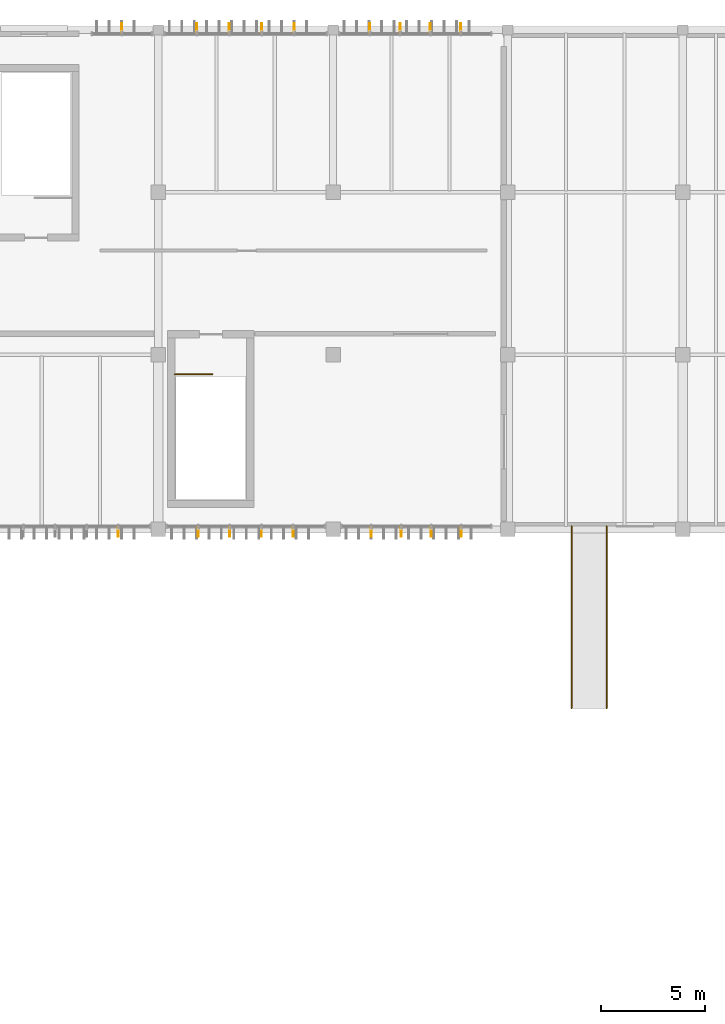
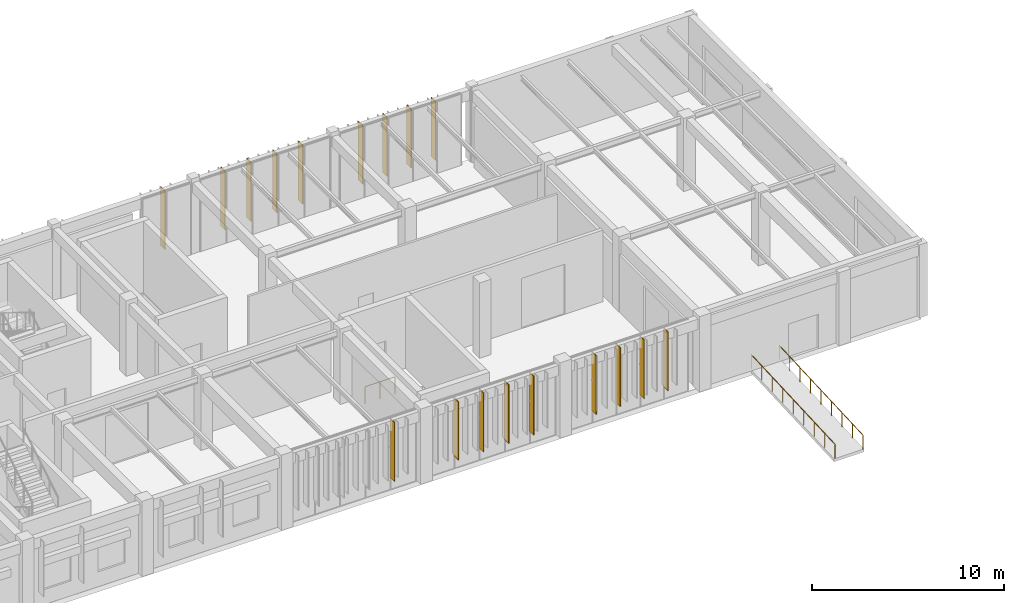
# One storey, part 122 of 122: 18 shading devices, 3 railings.
"""IFC4 building model written with IfcOpenShell, lengths in metres."""

from ifc_helpers import new_model, si_unit, direction, frame, origin, origin_2d, place, context, subcontext, project, spatial, rectangle, circle, extrude, material, layer, layer_set, material_profile, profile_set, type_object, element, save


model = new_model("IFC4")

# Units and contexts
model_context = context("Model", 3, precision=1e-05, world=origin(), true_north=direction((0.0, 1.0)))
body_context = subcontext(model_context, "Body", "Model", "MODEL_VIEW")
ifc_project = project(units=[si_unit("LENGTHUNIT", "METRE"), si_unit("AREAUNIT", "SQUARE_METRE"), si_unit("VOLUMEUNIT", "CUBIC_METRE"), si_unit("PLANEANGLEUNIT", "RADIAN"), si_unit("MASSUNIT", "GRAM", prefix="KILO")], contexts=[model_context])

# Site, building, storey
site_placement = place(None, origin())
site = spatial("IfcSite", under=ifc_project, at=site_placement, CompositionType="ELEMENT")
building_placement = place(site_placement, origin())
building = spatial("IfcBuilding", under=site, at=building_placement, Name="Tazoul Stagehouse", CompositionType="ELEMENT")
storey_placement = place(building_placement, origin())
storey = spatial("IfcBuildingStorey", under=building, at=storey_placement, Name="L00", CompositionType="ELEMENT", Elevation=0.0)

# Shading devices
ifc_material_1 = material(Name="Anodised Bronze Aluminium 6063-T6", Category="aluminium")
ifc_layer_1 = layer(ifc_material_1, 0.050048828125, Name="Anodised Bronze Aluminium 6063-T6")
ifc_layer_set_1 = layer_set([ifc_layer_1], Name="Anodised Bronze Aluminium 6063-T6")
shading_device_type_1 = type_object("IfcShadingDeviceType", Name="Angled Acoustic Sun-Screen Blade 460", PredefinedType="USERDEFINED", material=ifc_layer_set_1)
for number, where, z_axis, x_axis, name in (
    (1, (132.050048828125, 111.89990234375, 0.75), (0.0, 0.0, 1.0), (1.0, 0.0, 0.0), "Shading Louvre FIN-02 CW-V3-N3-L00-B1-SHD01"),
    (2, (135.659912109375, 111.89990234375, 0.75), (0.0, 0.0, 1.0), (1.0, 0.0, 0.0), "Shading Louvre FIN-02 CW-V3-N3-L00-B2-SHD01"),
    (3, (138.780029296875, 111.89990234375, 0.75), (0.0, 0.0, 1.0), (1.0, 0.0, 0.0), "Shading Louvre FIN-02 CW-V3-N3-L00-B2-SHD03"),
    (4, (143.9599609375, 111.89990234375, 0.75), (0.0, 0.0, 1.0), (1.0, 0.0, 0.0), "Shading Louvre FIN-02 CW-V3-N3-L00-B3-SHD01"),
    (5, (146.8798828125, 111.89990234375, 0.75), (0.0, 0.0, 1.0), (1.0, 0.0, 0.0), "Shading Louvre FIN-02 CW-V3-N3-L00-B3-SHD03"),
    (6, (135.719970703125, 87.669921875, 0.75), (0.0, 0.0, 1.0), (1.0, 0.0, 0.0), "Shading Louvre FIN-02 CW-V3-S2-L00-B2-SHD01"),
    (7, (138.760009765625, 87.669921875, 0.75), (0.0, 0.0, 1.0), (1.0, 0.0, 0.0), "Shading Louvre FIN-02 CW-V3-S2-L00-B2-SHD03"),
    (8, (144.0400390625, 87.669921875, 0.75), (0.0, 0.0, 1.0), (1.0, 0.0, 0.0), "Shading Louvre FIN-02 CW-V3-S2-L00-B3-SHD01"),
    (9, (146.919921875, 87.669921875, 0.75), (0.0, 0.0, 1.0), (1.0, 0.0, 0.0), "Shading Louvre FIN-02 CW-V3-S2-L00-B3-SHD03"),
):
    element("IfcShadingDevice", number, at=place(storey_placement, frame(where, z_axis=z_axis, x_axis=x_axis)), inside=storey, type_object=shading_device_type_1, Name=name, ObjectType="FIN", PredefinedType="USERDEFINED", context=body_context, shape_type="SweptSolid", body=[
        extrude(rectangle(XDim=0.044921875, YDim=0.4599609375, at=origin_2d()), origin(), (0.0, 0.0, 1.0), 3.75),
    ])

# Railings
ifc_material_2 = material(Name="Brushed Stainless Steel 316L", Category="steel")
ifc_material_profile_1 = material_profile(ifc_material_2, circle(Radius=0.02392578125, at=origin_2d()), Name="SS RAIL D48")
ifc_profile_set_1 = profile_set([ifc_material_profile_1], Name="Brushed Stainless Steel 316L")
railing_type_1 = type_object("IfcRailingType", Name="Architectural Guardrail H1120", PredefinedType="GUARDRAIL", material=ifc_profile_set_1)
railing_placement = place(storey_placement, frame((134.60009765625, 95.25, 0.0)))
element("IfcRailing", 10, at=railing_placement, inside=storey, type_object=railing_type_1, Name="L00 ST-B4 top well guard 1", PredefinedType="GUARDRAIL", context=body_context, shape_type="SweptSolid", body=[
    extrude(circle(Radius=0.02392578125, at=origin_2d()), frame((0.0, 0.0, 1.09619140625), z_axis=(1.0, 0.0, 0.0), x_axis=(0.0, 1.0, 0.0)), (0.0, 0.0, 1.0), 1.7998046875),
    extrude(circle(Radius=0.02099609375, at=origin_2d()), origin(), (0.0, 0.0, 1.0), 1.072021484375),
    extrude(circle(Radius=0.02099609375, at=origin_2d()), frame((0.89990234375, 0.0, 0.0)), (0.0, 0.0, 1.0), 1.072021484375),
    extrude(circle(Radius=0.02099609375, at=origin_2d()), frame((1.7998046875, 0.0, 0.0)), (0.0, 0.0, 1.0), 1.072021484375),
])
ifc_material_profile_2 = material_profile(ifc_material_2, circle(Radius=0.02099609375, at=origin_2d()), Name="SS HANDRAIL D42")
ifc_profile_set_2 = profile_set([ifc_material_profile_2], Name="Brushed Stainless Steel 316L")
railing_type_2 = type_object("IfcRailingType", Name="Exterior Ramp Handrail H920", PredefinedType="HANDRAIL", material=ifc_profile_set_2)
for number, where, name in (
    (11, (153.659912109375, 79.199951171875, -0.419921875), "Backstage Courtyard Step-Free Stage Ramp Handrail L"),
    (12, (155.340087890625, 79.199951171875, -0.419921875), "Backstage Courtyard Step-Free Stage Ramp Handrail R"),
):
    element("IfcRailing", number, at=place(storey_placement, frame(where)), inside=storey, type_object=railing_type_2, Name=name, PredefinedType="HANDRAIL", context=body_context, shape_type="SweptSolid", body=[
        extrude(circle(Radius=0.02392578125, at=origin_2d()), frame((0.0, 0.0, 0.89599609375), z_axis=(0.0, 0.998850413897, 0.04793590156), x_axis=(-1.0, 0.0, 0.0)), (0.0, 0.0, 1.0), 8.760009765625),
        extrude(circle(Radius=0.02099609375, at=origin_2d()), origin(), (0.0, 0.0, 1.0), 0.871826171875),
        extrude(circle(Radius=0.02099609375, at=origin_2d()), frame((0.0, 1.09375, 0.052490234375)), (0.0, 0.0, 1.0), 0.871826171875),
        extrude(circle(Radius=0.02099609375, at=origin_2d()), frame((0.0, 2.1875, 0.10498046875)), (0.0, 0.0, 1.0), 0.871826171875),
        extrude(circle(Radius=0.02099609375, at=origin_2d()), frame((0.0, 3.28125, 0.157470703125)), (0.0, 0.0, 1.0), 0.871826171875),
        extrude(circle(Radius=0.02099609375, at=origin_2d()), frame((0.0, 4.375, 0.2099609375)), (0.0, 0.0, 1.0), 0.871826171875),
        extrude(circle(Radius=0.02099609375, at=origin_2d()), frame((0.0, 5.46875, 0.262451171875)), (0.0, 0.0, 1.0), 0.871826171875),
        extrude(circle(Radius=0.02099609375, at=origin_2d()), frame((0.0, 6.5625, 0.31494140625)), (0.0, 0.0, 1.0), 0.871826171875),
        extrude(circle(Radius=0.02099609375, at=origin_2d()), frame((0.0, 7.65625, 0.367431640625)), (0.0, 0.0, 1.0), 0.871826171875),
        extrude(circle(Radius=0.02099609375, at=origin_2d()), frame((0.0, 8.75, 0.419921875)), (0.0, 0.0, 1.0), 0.871826171875),
    ])

# Shading devices
ifc_layer_2 = layer(ifc_material_1, 0.044921875, Name="Anodised Bronze Aluminium 6063-T6")
ifc_layer_set_2 = layer_set([ifc_layer_2], Name="Anodised Bronze Aluminium 6063-T6")
shading_device_type_2 = type_object("IfcShadingDeviceType", Name="Vertical Extruded Terracotta-Bronze Louvre 460", PredefinedType="JALOUSIE", material=ifc_layer_set_2)
for number, where, z_axis, x_axis, name in (
    (13, (137.219970703125, 111.89990234375, 0.75), (0.0, 0.0, 1.0), (1.0, 0.0, 0.0), "Shading Louvre FIN-01 CW-V3-N3-L00-B2-SHD02"),
    (14, (140.340087890625, 111.89990234375, 0.75), (0.0, 0.0, 1.0), (1.0, 0.0, 0.0), "Shading Louvre FIN-01 CW-V3-N3-L00-B2-SHD04"),
    (15, (145.419921875, 111.89990234375, 0.75), (0.0, 0.0, 1.0), (1.0, 0.0, 0.0), "Shading Louvre FIN-01 CW-V3-N3-L00-B3-SHD02"),
    (16, (148.340087890625, 111.89990234375, 0.75), (0.0, 0.0, 1.0), (1.0, 0.0, 0.0), "Shading Louvre FIN-01 CW-V3-N3-L00-B3-SHD04"),
    (17, (131.8798828125, 87.669921875, 0.75), (0.0, 0.0, 1.0), (1.0, 0.0, 0.0), "Shading Louvre FIN-01 CW-V3-S2-L00-B1-SHD04"),
    (18, (137.239990234375, 87.669921875, 0.75), (0.0, 0.0, 1.0), (1.0, 0.0, 0.0), "Shading Louvre FIN-01 CW-V3-S2-L00-B2-SHD02"),
    (19, (140.280029296875, 87.669921875, 0.75), (0.0, 0.0, 1.0), (1.0, 0.0, 0.0), "Shading Louvre FIN-01 CW-V3-S2-L00-B2-SHD04"),
    (20, (145.47998046875, 87.669921875, 0.75), (0.0, 0.0, 1.0), (1.0, 0.0, 0.0), "Shading Louvre FIN-01 CW-V3-S2-L00-B3-SHD02"),
    (21, (148.360107421875, 87.669921875, 0.75), (0.0, 0.0, 1.0), (1.0, 0.0, 0.0), "Shading Louvre FIN-01 CW-V3-S2-L00-B3-SHD04"),
):
    element("IfcShadingDevice", number, at=place(storey_placement, frame(where, z_axis=z_axis, x_axis=x_axis)), inside=storey, type_object=shading_device_type_2, Name=name, PredefinedType="JALOUSIE", context=body_context, shape_type="SweptSolid", body=[
        extrude(rectangle(XDim=0.044921875, YDim=0.4599609375, at=origin_2d()), origin(), (0.0, 0.0, 1.0), 3.75),
    ])

save(model, "model.ifc")
